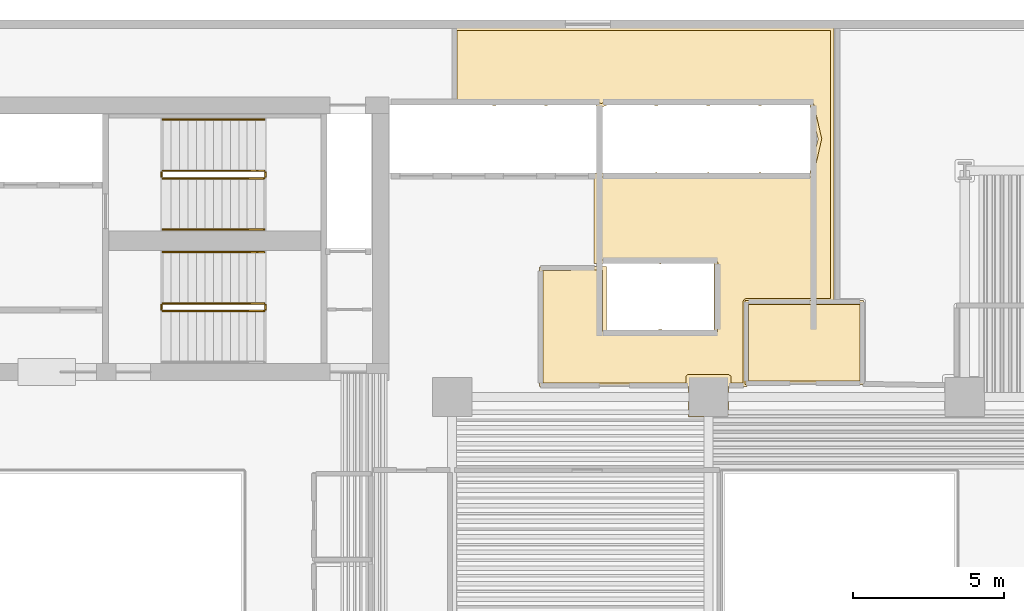
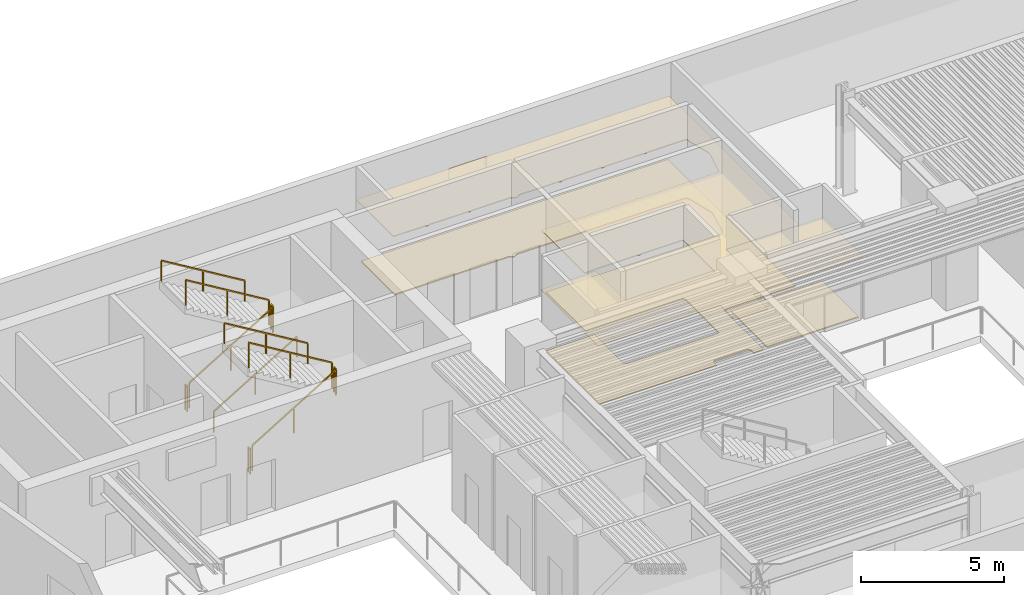
# One storey, part 10 of 11: 11 railings, 4 coverings.
"""IFC4 building model written with IfcOpenShell, lengths in metres."""

from ifc_helpers import new_model, si_unit, direction, frame, origin, origin_2d, place, context, subcontext, project, spatial, polyline, rectangle, outline, extrude, material, layer, layer_set, type_object, element, save


model = new_model("IFC4")

# Units and contexts
model_context = context("Model", 3, precision=1e-05, world=origin(), true_north=direction((0.0, 1.0)))
body_context = subcontext(model_context, "Body", "Model", "MODEL_VIEW")
ifc_project = project(units=[si_unit("LENGTHUNIT", "METRE"), si_unit("AREAUNIT", "SQUARE_METRE"), si_unit("VOLUMEUNIT", "CUBIC_METRE"), si_unit("PLANEANGLEUNIT", "RADIAN"), si_unit("MASSUNIT", "GRAM", prefix="KILO")], contexts=[model_context])

# Site, building, storey
site_placement = place(None, origin())
site = spatial("IfcSite", under=ifc_project, at=site_placement, CompositionType="ELEMENT")
building_placement = place(site_placement, origin())
building = spatial("IfcBuilding", under=site, at=building_placement, Name="Caeloran Harvest Quay", CompositionType="ELEMENT")
storey_placement = place(building_placement, frame((0.0, 0.0, 49.0)))
storey = spatial("IfcBuildingStorey", under=building, at=storey_placement, Name="L11", CompositionType="ELEMENT", Elevation=49.0)

# Coverings
ifc_material_1 = material(Name="Perforated Mineral-Fibre Acoustic Ceiling Tile", Category="ceiling")
ifc_layer_1 = layer(ifc_material_1, 0.0400390625, Name="Perforated Mineral-Fibre Acoustic Ceiling Tile")
ifc_layer_set_1 = layer_set([ifc_layer_1], Name="Perforated Mineral-Fibre Acoustic Ceiling Tile")
covering_type_1 = type_object("IfcCoveringType", Name="COV-CEILING-ACOUSTIC", PredefinedType="CEILING", material=ifc_layer_set_1)
covering_1_placement = place(storey_placement, frame((0.0, 0.0, 2.60009765625)))
element("IfcCovering", 1, at=covering_1_placement, inside=storey, type_object=covering_type_1, Name="L11 Core Auxiliary Equipment Room Acoustic Ceiling", PredefinedType="CEILING", context=body_context, shape_type="SweptSolid", body=[
    extrude(outline(polyline([(39.139892578125, 34.18994140625), (39.139892578125, 31.409912109375), (35.2099609375, 31.409912109375), (35.2099609375, 34.18994140625), (39.139892578125, 34.18994140625)])), origin(), (0.0, 0.0, 1.0), 0.039794921875),
])
covering_2_placement = place(storey_placement, frame((0.0, 0.0, 2.60009765625)))
element("IfcCovering", 2, at=covering_2_placement, inside=storey, type_object=covering_type_1, Name="Saffron and Herb Vertical Growing Room 9 Acoustic Ceiling", PredefinedType="CEILING", context=body_context, shape_type="SweptSolid", body=[
    extrude(outline(polyline([(34.669921875, 30.330078125), (33.330078125, 30.330078125), (33.330078125, 31.340087890625), (28.389892578125, 31.340087890625), (28.389892578125, 35.31005859375), (30.212890625, 35.31005859375), (30.22021484375, 35.330078125), (30.610107421875, 35.330078125), (30.610107421875, 33.2099609375), (32.34130859375, 33.2099609375), (32.34423828125, 33.2294921875), (32.39990234375, 33.23779296875), (32.452880859375, 33.22998046875), (32.4580078125, 33.2099609375), (34.18994140625, 33.2099609375), (34.18994140625, 35.43994140625), (32.458740234375, 35.43994140625), (32.455810546875, 35.42041015625), (32.39990234375, 35.412109375), (32.346923828125, 35.420166015625), (32.342041015625, 35.43994140625), (30.607177734375, 35.43994140625), (30.599853515625, 35.419921875), (30.2099609375, 35.419921875), (30.2099609375, 38.212890625), (30.18994140625, 38.22021484375), (30.18994140625, 38.409912109375), (30.27294921875, 38.409912109375), (30.280029296875, 38.429931640625), (30.599853515625, 38.429931640625), (30.607177734375, 38.409912109375), (32.211181640625, 38.409912109375), (32.214111328125, 38.429443359375), (32.27001953125, 38.437744140625), (32.322998046875, 38.429931640625), (32.327880859375, 38.409912109375), (33.931396484375, 38.409912109375), (33.93408203125, 38.429443359375), (33.989990234375, 38.437744140625), (34.04296875, 38.429931640625), (34.0478515625, 38.409912109375), (35.6513671875, 38.409912109375), (35.654296875, 38.429443359375), (35.7099609375, 38.437744140625), (35.762939453125, 38.429931640625), (35.767822265625, 38.409912109375), (37.3701171875, 38.409912109375), (37.3701171875, 38.483642578125), (37.63720703125, 39.550048828125), (37.3701171875, 40.6162109375), (37.3701171875, 40.68994140625), (35.768798828125, 40.68994140625), (35.765869140625, 40.67041015625), (35.7099609375, 40.662109375), (35.656982421875, 40.670166015625), (35.652099609375, 40.68994140625), (34.048583984375, 40.68994140625), (34.0458984375, 40.67041015625), (33.989990234375, 40.662109375), (33.93701171875, 40.670166015625), (33.93212890625, 40.68994140625), (32.32861328125, 40.68994140625), (32.32568359375, 40.67041015625), (32.27001953125, 40.662109375), (32.217041015625, 40.670166015625), (32.212158203125, 40.68994140625), (30.610107421875, 40.68994140625), (30.610107421875, 40.67138671875), (30.43994140625, 40.591064453125), (30.27001953125, 40.67138671875), (30.27001953125, 40.68994140625), (28.668701171875, 40.68994140625), (28.665771484375, 40.67041015625), (28.610107421875, 40.662109375), (28.556884765625, 40.670166015625), (28.552001953125, 40.68994140625), (26.94873046875, 40.68994140625), (26.94580078125, 40.67041015625), (26.889892578125, 40.662109375), (26.8369140625, 40.670166015625), (26.83203125, 40.68994140625), (25.5400390625, 40.68994140625), (25.5400390625, 43.280029296875), (38.159912109375, 43.280029296875), (38.159912109375, 34.139892578125), (35.260009765625, 34.139892578125), (35.260009765625, 31.45703125), (35.280029296875, 31.449951171875), (35.280029296875, 31.340087890625), (34.669921875, 31.340087890625), (34.669921875, 30.330078125)])), origin(), (0.0, 0.0, 1.0), 0.039794921875),
])
ifc_material_2 = material(Name="Calcium-Sulphate Raised Access Floor and Terrazzo Finish", Category="flooring")
ifc_layer_2 = layer(ifc_material_2, 0.050048828125, Name="Calcium-Sulphate Raised Access Floor and Terrazzo Finish")
ifc_layer_set_2 = layer_set([ifc_layer_2], Name="Calcium-Sulphate Raised Access Floor and Terrazzo Finish")
covering_type_2 = type_object("IfcCoveringType", Name="COV-FLOOR-RAISED", PredefinedType="FLOORING", material=ifc_layer_set_2)
covering_3_placement = place(storey_placement, origin())
element("IfcCovering", 3, at=covering_3_placement, inside=storey, type_object=covering_type_2, Name="L11 Core Auxiliary Equipment Room Raised Finish Flooring", PredefinedType="FLOORING", context=body_context, shape_type="SweptSolid", body=[
    extrude(outline(polyline([(39.02001953125, 34.070068359375), (39.02001953125, 31.530029296875), (35.330078125, 31.530029296875), (35.330078125, 34.070068359375), (39.02001953125, 34.070068359375)])), origin(), (0.0, 0.0, 1.0), 0.050048828125),
])
covering_4_placement = place(storey_placement, origin())
element("IfcCovering", 4, at=covering_4_placement, inside=storey, type_object=covering_type_2, Name="Saffron and Herb Vertical Growing Room 9 Raised Finish Flooring", PredefinedType="FLOORING", context=body_context, shape_type="SweptSolid", body=[
    extrude(outline(polyline([(30.280029296875, 40.81005859375), (25.659912109375, 40.81005859375), (25.659912109375, 43.159912109375), (38.0400390625, 43.159912109375), (38.0400390625, 34.260009765625), (35.25, 34.260009765625), (35.175048828125, 34.23046875), (35.139892578125, 34.14990234375), (35.139892578125, 31.4599609375), (34.7451171875, 31.4599609375), (34.74169921875, 31.688232421875), (34.6650390625, 31.7451171875), (33.3193359375, 31.743408203125), (33.256591796875, 31.6806640625), (33.2548828125, 31.4599609375), (28.510009765625, 31.4599609375), (28.510009765625, 35.18994140625), (30.489990234375, 35.2099609375), (30.489990234375, 33.196044921875), (30.564208984375, 33.095947265625), (34.199951171875, 33.090087890625), (34.2666015625, 33.112548828125), (34.306396484375, 33.171875), (34.31005859375, 35.449951171875), (34.25537109375, 35.545166015625), (30.330078125, 35.5400390625), (30.31005859375, 38.294189453125), (37.397705078125, 38.29150390625), (37.486328125, 38.371826171875), (37.757568359375, 39.561767578125), (37.486328125, 40.72802734375), (37.394775390625, 40.80908203125), (30.60009765625, 40.81005859375), (30.43994140625, 40.723876953125), (30.280029296875, 40.81005859375)])), origin(), (0.0, 0.0, 1.0), 0.050048828125),
])

# Railings
ifc_material_3 = material(Name="Painted Steel Baluster and Top-Rail Stair Guard", Category="steel")
ifc_layer_3 = layer(ifc_material_3, 0.050048828125, Name="Painted Steel Baluster and Top-Rail Stair Guard")
ifc_layer_set_3 = layer_set([ifc_layer_3], Name="Painted Steel Baluster and Top-Rail Stair Guard")
railing_type_1 = type_object("IfcRailingType", Name="STAIR-GUARD-1100", PredefinedType="GUARDRAIL", material=ifc_layer_set_3)
railing_1_placement = place(storey_placement, frame((15.89990234375, 38.25, 0.169189453125)))
element("IfcRailing", 5, at=railing_1_placement, inside=storey, type_object=railing_type_1, Name="L11 ST-C1 stair guard 1", PredefinedType="GUARDRAIL", context=body_context, shape_type="SweptSolid", body=[
    extrude(rectangle(XDim=0.048095703125, YDim=0.048095703125, at=origin_2d()), frame((0.0, 0.0, 1.076171875), z_axis=(0.855836976705, 0.0, 0.517245656632), x_axis=(0.0, 1.0, 0.0)), (0.0, 0.0, 1.0), 3.926025390625),
    extrude(rectangle(XDim=0.0419921875, YDim=0.0419921875, at=origin_2d()), origin(), (0.0, 0.0, 1.0), 1.052001953125),
    extrude(rectangle(XDim=0.0419921875, YDim=0.0419921875, at=origin_2d()), frame((1.68017578125, 0.0, 1.015380859375)), (0.0, 0.0, 1.0), 1.052001953125),
    extrude(rectangle(XDim=0.0419921875, YDim=0.0419921875, at=origin_2d()), frame((3.360107421875, 0.0, 2.03076171875)), (0.0, 0.0, 1.0), 1.052001953125),
])
railing_2_placement = place(storey_placement, frame((19.31005859375, 38.300048828125, 2.199951171875)))
element("IfcRailing", 6, at=railing_2_placement, inside=storey, type_object=railing_type_1, Name="L11 ST-C1 stair guard 2", PredefinedType="GUARDRAIL", context=body_context, shape_type="SweptSolid", body=[
    extrude(rectangle(XDim=0.048095703125, YDim=0.048095703125, at=origin_2d()), frame((0.0, 0.0, 1.076171875), z_axis=(0.0, 1.0, 0.0), x_axis=(-1.0, 0.0, 0.0)), (0.0, 0.0, 1.0), 0.14990234375),
    extrude(rectangle(XDim=0.0419921875, YDim=0.0419921875, at=origin_2d()), origin(), (0.0, 0.0, 1.0), 1.052001953125),
    extrude(rectangle(XDim=0.0419921875, YDim=0.0419921875, at=origin_2d()), frame((0.0, 0.14990234375, 0.0)), (0.0, 0.0, 1.0), 1.052001953125),
])
railing_3_placement = place(storey_placement, frame((19.260009765625, 38.5, 2.369140625)))
element("IfcRailing", 7, at=railing_3_placement, inside=storey, type_object=railing_type_1, Name="L11 ST-C1 stair guard 3", PredefinedType="GUARDRAIL", context=body_context, shape_type="SweptSolid", body=[
    extrude(rectangle(XDim=0.048095703125, YDim=0.048095703125, at=origin_2d()), frame((0.0, 0.0, 1.076171875), z_axis=(-0.855836976705, 0.0, 0.517245656632), x_axis=(0.0, -1.0, 0.0)), (0.0, 0.0, 1.0), 3.926025390625),
    extrude(rectangle(XDim=0.0419921875, YDim=0.0419921875, at=origin_2d()), origin(), (0.0, 0.0, 1.0), 1.052001953125),
    extrude(rectangle(XDim=0.0419921875, YDim=0.0419921875, at=origin_2d()), frame((-1.68017578125, 0.0, 1.015380859375)), (0.0, 0.0, 1.0), 1.052001953125),
    extrude(rectangle(XDim=0.0419921875, YDim=0.0419921875, at=origin_2d()), frame((-3.360107421875, 0.0, 2.03076171875)), (0.0, 0.0, 1.0), 1.052001953125),
])
railing_4_placement = place(storey_placement, frame((15.85009765625, 38.300048828125, 0.0)))
element("IfcRailing", 8, at=railing_4_placement, inside=storey, type_object=railing_type_1, Name="L11 ST-C1 stair guard 4", PredefinedType="GUARDRAIL", context=body_context, shape_type="SweptSolid", body=[
    extrude(rectangle(XDim=0.048095703125, YDim=0.048095703125, at=origin_2d()), frame((0.0, 0.0, 1.076171875), z_axis=(0.0, 1.0, 0.0), x_axis=(-1.0, 0.0, 0.0)), (0.0, 0.0, 1.0), 0.14990234375),
    extrude(rectangle(XDim=0.0419921875, YDim=0.0419921875, at=origin_2d()), origin(), (0.0, 0.0, 1.0), 1.052001953125),
    extrude(rectangle(XDim=0.0419921875, YDim=0.0419921875, at=origin_2d()), frame((0.0, 0.14990234375, 0.0)), (0.0, 0.0, 1.0), 1.052001953125),
])
railing_5_placement = place(storey_placement, frame((15.89990234375, 33.85009765625, 0.169189453125)))
element("IfcRailing", 9, at=railing_5_placement, inside=storey, type_object=railing_type_1, Name="L11 ST-C2 stair guard 1", PredefinedType="GUARDRAIL", context=body_context, shape_type="SweptSolid", body=[
    extrude(rectangle(XDim=0.048095703125, YDim=0.048095703125, at=origin_2d()), frame((0.0, 0.0, 1.076171875), z_axis=(0.855836976705, 0.0, 0.517245656632), x_axis=(0.0, 1.0, 0.0)), (0.0, 0.0, 1.0), 3.926025390625),
    extrude(rectangle(XDim=0.0419921875, YDim=0.0419921875, at=origin_2d()), origin(), (0.0, 0.0, 1.0), 1.052001953125),
    extrude(rectangle(XDim=0.0419921875, YDim=0.0419921875, at=origin_2d()), frame((1.68017578125, 0.0, 1.015380859375)), (0.0, 0.0, 1.0), 1.052001953125),
    extrude(rectangle(XDim=0.0419921875, YDim=0.0419921875, at=origin_2d()), frame((3.360107421875, 0.0, 2.03076171875)), (0.0, 0.0, 1.0), 1.052001953125),
])
railing_6_placement = place(storey_placement, frame((19.31005859375, 33.89990234375, 2.199951171875)))
element("IfcRailing", 10, at=railing_6_placement, inside=storey, type_object=railing_type_1, Name="L11 ST-C2 stair guard 2", PredefinedType="GUARDRAIL", context=body_context, shape_type="SweptSolid", body=[
    extrude(rectangle(XDim=0.048095703125, YDim=0.048095703125, at=origin_2d()), frame((0.0, 0.0, 1.076171875), z_axis=(0.0, 1.0, 0.0), x_axis=(-1.0, 0.0, 0.0)), (0.0, 0.0, 1.0), 0.150146484375),
    extrude(rectangle(XDim=0.0419921875, YDim=0.0419921875, at=origin_2d()), origin(), (0.0, 0.0, 1.0), 1.052001953125),
    extrude(rectangle(XDim=0.0419921875, YDim=0.0419921875, at=origin_2d()), frame((0.0, 0.150146484375, 0.0)), (0.0, 0.0, 1.0), 1.052001953125),
])
railing_7_placement = place(storey_placement, frame((19.260009765625, 34.10009765625, 2.369140625)))
element("IfcRailing", 11, at=railing_7_placement, inside=storey, type_object=railing_type_1, Name="L11 ST-C2 stair guard 3", PredefinedType="GUARDRAIL", context=body_context, shape_type="SweptSolid", body=[
    extrude(rectangle(XDim=0.048095703125, YDim=0.048095703125, at=origin_2d()), frame((0.0, 0.0, 1.076171875), z_axis=(-0.855836976705, 0.0, 0.517245656632), x_axis=(0.0, -1.0, 0.0)), (0.0, 0.0, 1.0), 3.926025390625),
    extrude(rectangle(XDim=0.0419921875, YDim=0.0419921875, at=origin_2d()), origin(), (0.0, 0.0, 1.0), 1.052001953125),
    extrude(rectangle(XDim=0.0419921875, YDim=0.0419921875, at=origin_2d()), frame((-1.68017578125, 0.0, 1.015380859375)), (0.0, 0.0, 1.0), 1.052001953125),
    extrude(rectangle(XDim=0.0419921875, YDim=0.0419921875, at=origin_2d()), frame((-3.360107421875, 0.0, 2.03076171875)), (0.0, 0.0, 1.0), 1.052001953125),
])
railing_8_placement = place(storey_placement, frame((15.85009765625, 33.89990234375, 0.0)))
element("IfcRailing", 12, at=railing_8_placement, inside=storey, type_object=railing_type_1, Name="L11 ST-C2 stair guard 4", PredefinedType="GUARDRAIL", context=body_context, shape_type="SweptSolid", body=[
    extrude(rectangle(XDim=0.048095703125, YDim=0.048095703125, at=origin_2d()), frame((0.0, 0.0, 1.076171875), z_axis=(0.0, 1.0, 0.0), x_axis=(-1.0, 0.0, 0.0)), (0.0, 0.0, 1.0), 0.150146484375),
    extrude(rectangle(XDim=0.0419921875, YDim=0.0419921875, at=origin_2d()), origin(), (0.0, 0.0, 1.0), 1.052001953125),
    extrude(rectangle(XDim=0.0419921875, YDim=0.0419921875, at=origin_2d()), frame((0.0, 0.150146484375, 0.0)), (0.0, 0.0, 1.0), 1.052001953125),
])
ifc_material_4 = material(Name="Brushed Stainless Steel Grade 304", Category="steel")
ifc_layer_4 = layer(ifc_material_4, 0.050048828125, Name="Brushed Stainless Steel Grade 304")
ifc_layer_set_4 = layer_set([ifc_layer_4], Name="Brushed Stainless Steel Grade 304")
railing_type_2 = type_object("IfcRailingType", Name="STAIR-HANDRAIL-900", PredefinedType="HANDRAIL", material=ifc_layer_set_4)
railing_9_placement = place(storey_placement, frame((15.89990234375, 36.550048828125, 0.169189453125)))
element("IfcRailing", 13, at=railing_9_placement, inside=storey, type_object=railing_type_2, Name="L11 ST-C1 stair handrail 1", PredefinedType="HANDRAIL", context=body_context, shape_type="SweptSolid", body=[
    extrude(rectangle(XDim=0.048095703125, YDim=0.048095703125, at=origin_2d()), frame((0.0, 0.0, 0.8759765625), z_axis=(0.855836976705, 0.0, 0.517245656632), x_axis=(0.0, 1.0, 0.0)), (0.0, 0.0, 1.0), 3.926025390625),
    extrude(rectangle(XDim=0.0419921875, YDim=0.0419921875, at=origin_2d()), origin(), (0.0, 0.0, 1.0), 0.851806640625),
    extrude(rectangle(XDim=0.0419921875, YDim=0.0419921875, at=origin_2d()), frame((1.68017578125, 0.0, 1.015380859375)), (0.0, 0.0, 1.0), 0.851806640625),
    extrude(rectangle(XDim=0.0419921875, YDim=0.0419921875, at=origin_2d()), frame((3.360107421875, 0.0, 2.03076171875)), (0.0, 0.0, 1.0), 0.851806640625),
])
for number, where, name in (
    (14, (19.260009765625, 40.199951171875, 2.369140625), "L11 ST-C1 stair handrail 2"),
    (15, (19.260009765625, 35.800048828125, 2.369140625), "L11 ST-C2 stair handrail 2"),
):
    element("IfcRailing", number, at=place(storey_placement, frame(where)), inside=storey, type_object=railing_type_2, Name=name, PredefinedType="HANDRAIL", context=body_context, shape_type="SweptSolid", body=[
        extrude(rectangle(XDim=0.048095703125, YDim=0.048095703125, at=origin_2d()), frame((0.0, 0.0, 0.8759765625), z_axis=(-0.855836976705, 0.0, 0.517245656632), x_axis=(0.0, -1.0, 0.0)), (0.0, 0.0, 1.0), 3.926025390625),
        extrude(rectangle(XDim=0.0419921875, YDim=0.0419921875, at=origin_2d()), origin(), (0.0, 0.0, 1.0), 0.851806640625),
        extrude(rectangle(XDim=0.0419921875, YDim=0.0419921875, at=origin_2d()), frame((-1.68017578125, 0.0, 1.015380859375)), (0.0, 0.0, 1.0), 0.851806640625),
        extrude(rectangle(XDim=0.0419921875, YDim=0.0419921875, at=origin_2d()), frame((-3.360107421875, 0.0, 2.03076171875)), (0.0, 0.0, 1.0), 0.851806640625),
    ])

save(model, "model.ifc")
